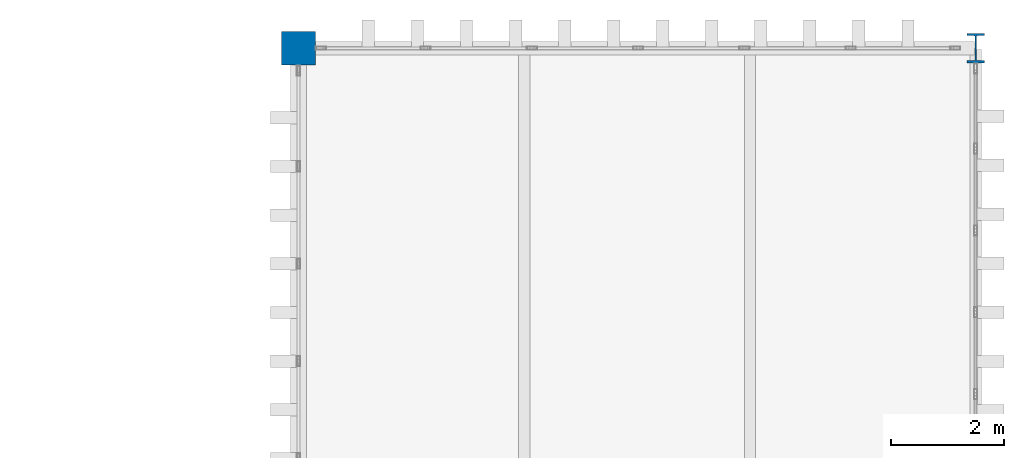
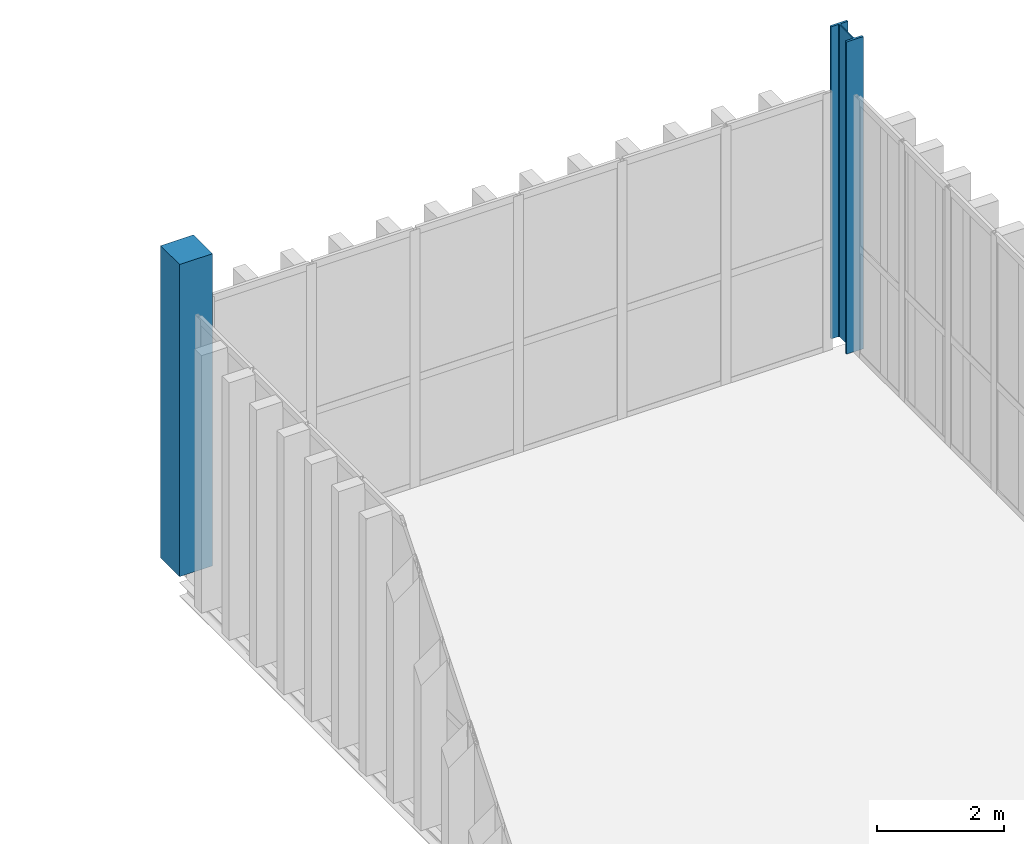
# One storey, part 25 of 211: 2 columns.
"""IFC4 building model written with IfcOpenShell, lengths in metres."""

from ifc_helpers import new_model, si_unit, direction, frame, origin, origin_2d, place, context, subcontext, project, spatial, rectangle, i_section, extrude, material, material_profile, profile_set, type_object, element, save


model = new_model("IFC4")

# Units and contexts
model_context = context("Model", 3, precision=1e-05, world=origin(), true_north=direction((0.0, 1.0)))
body_context = subcontext(model_context, "Body", "Model", "MODEL_VIEW")
ifc_project = project(units=[si_unit("LENGTHUNIT", "METRE"), si_unit("AREAUNIT", "SQUARE_METRE"), si_unit("VOLUMEUNIT", "CUBIC_METRE"), si_unit("PLANEANGLEUNIT", "RADIAN"), si_unit("MASSUNIT", "GRAM", prefix="KILO")], contexts=[model_context])

# Site, building, storey
site_placement = place(None, origin())
site = spatial("IfcSite", under=ifc_project, at=site_placement, CompositionType="ELEMENT")
building_placement = place(site_placement, origin())
building = spatial("IfcBuilding", under=site, at=building_placement, Name="Barlavento Convention Centre", CompositionType="ELEMENT")
storey_placement = place(building_placement, frame((0.0, 0.0, 6.0)))
storey = spatial("IfcBuildingStorey", under=building, at=storey_placement, Name="L01", CompositionType="ELEMENT", Elevation=6.0)

# Columns
ifc_material_1 = material(Name="Steel S355", Category="steel")
ifc_material_profile_1 = material_profile(ifc_material_1, i_section(OverallWidth=0.305908203125, OverallDepth=0.52392578125, WebThickness=0.02099609375, FlangeThickness=0.0400390625, FilletRadius=0.027099609375, at=origin_2d()), Name="HEM 500")
ifc_profile_set_1 = profile_set([ifc_material_profile_1], Name="Steel S355")
column_type_1 = type_object("IfcColumnType", Name="STR-COL-HEM500", PredefinedType="COLUMN", material=ifc_profile_set_1)
column_1_placement = place(storey_placement, frame((192.0, 135.0, 0.0), z_axis=(0.0, 0.0, 1.0), x_axis=(1.0, 0.0, 0.0)))
element("IfcColumn", 1, at=column_1_placement, inside=storey, type_object=column_type_1, Name="L01 column SC07", PredefinedType="COLUMN", context=body_context, shape_type="SweptSolid", body=[
    extrude(i_section(OverallWidth=0.305908203125, OverallDepth=0.52392578125, WebThickness=0.02099609375, FlangeThickness=0.0400390625, FilletRadius=0.027099609375, at=origin_2d()), origin(), (0.0, 0.0, 1.0), 6.0),
])
ifc_material_2 = material(Name="Concrete C40/50", Category="concrete")
ifc_material_profile_2 = material_profile(ifc_material_2, rectangle(XDim=0.60009765625, YDim=0.60009765625, at=origin_2d()), Name="RC 600x600")
ifc_profile_set_2 = profile_set([ifc_material_profile_2], Name="Concrete C40/50")
column_type_2 = type_object("IfcColumnType", Name="STR-COL-RC600", PredefinedType="COLUMN", material=ifc_profile_set_2)
column_2_placement = place(storey_placement, frame((180.0, 135.0, 0.0), z_axis=(0.0, 0.0, 1.0), x_axis=(1.0, 0.0, 0.0)))
element("IfcColumn", 2, at=column_2_placement, inside=storey, type_object=column_type_2, Name="L01 column CC07", PredefinedType="COLUMN", context=body_context, shape_type="SweptSolid", body=[
    extrude(rectangle(XDim=0.60009765625, YDim=0.60009765625, at=origin_2d()), origin(), (0.0, 0.0, 1.0), 6.0),
])

save(model, "model.ifc")
